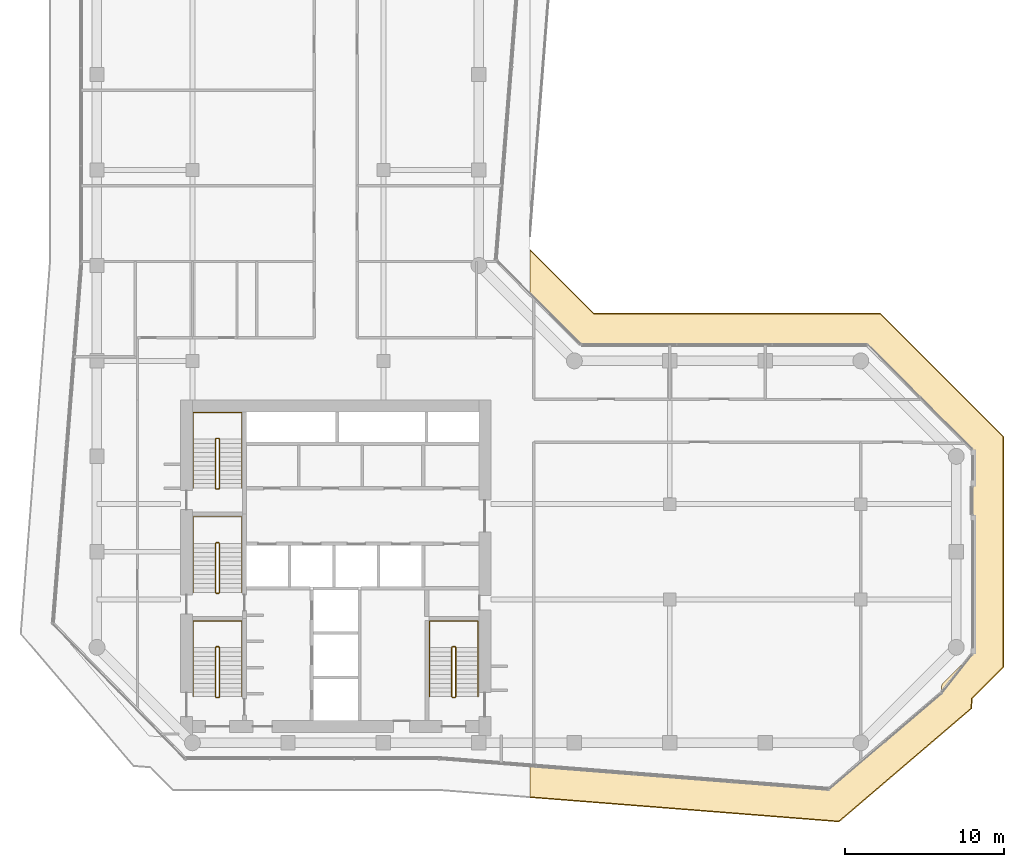
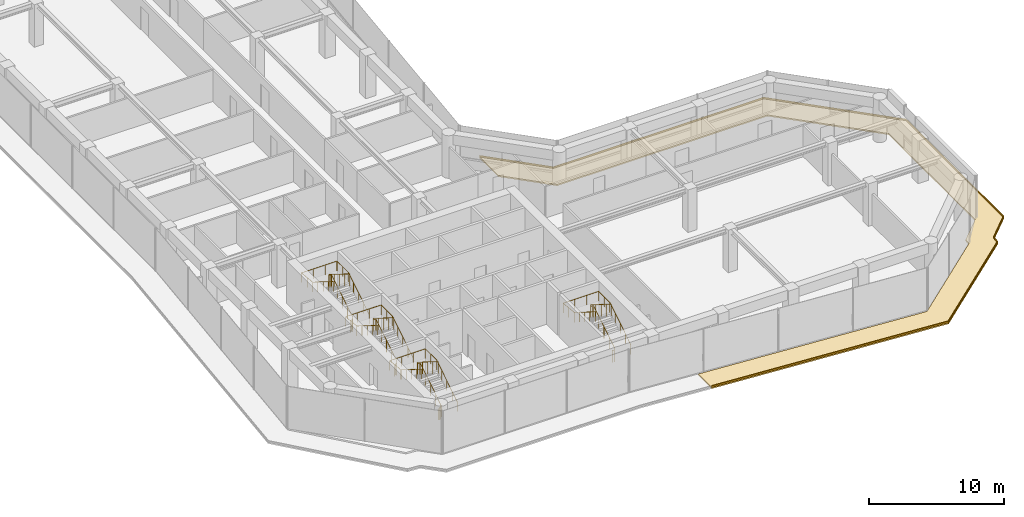
# One storey, part 23 of 24: 8 railings, 2 coverings.
"""IFC4 building model written with IfcOpenShell, lengths in metres."""

from ifc_helpers import new_model, si_unit, direction, frame, origin, origin_2d, place, context, subcontext, project, spatial, polyline, circle, outline, extrude, material, layer, layer_set, type_object, element, save


model = new_model("IFC4")

# Units and contexts
model_context = context("Model", 3, precision=1e-05, world=origin(), true_north=direction((0.0, 1.0)))
body_context = subcontext(model_context, "Body", "Model", "MODEL_VIEW")
ifc_project = project(units=[si_unit("LENGTHUNIT", "METRE"), si_unit("AREAUNIT", "SQUARE_METRE"), si_unit("VOLUMEUNIT", "CUBIC_METRE"), si_unit("PLANEANGLEUNIT", "RADIAN"), si_unit("MASSUNIT", "GRAM", prefix="KILO")], contexts=[model_context])

# Site, building, storey
site_placement = place(None, origin())
site = spatial("IfcSite", under=ifc_project, at=site_placement, CompositionType="ELEMENT")
building_placement = place(site_placement, origin())
building = spatial("IfcBuilding", under=site, at=building_placement, Name="Welwitschia Terrace Campus", CompositionType="ELEMENT")
storey_placement = place(building_placement, frame((0.0, 0.0, 129.800048828125)))
storey = spatial("IfcBuildingStorey", under=building, at=storey_placement, Name="L29", CompositionType="ELEMENT", Elevation=129.800048828125)

# Railings
ifc_material_1 = material(Name="Steel S355", Category="steel")
railing_type_1 = type_object("IfcRailingType", Name="Stair guard 1100", PredefinedType="GUARDRAIL", material=ifc_material_1)
railing_1_placement = place(storey_placement, frame((7.5, 6.85009765625, 0.0)))
element("IfcRailing", 1, at=railing_1_placement, inside=storey, type_object=railing_type_1, Name="L29 S1 stair guard", PredefinedType="GUARDRAIL", context=body_context, shape_type="SweptSolid", body=[
    extrude(circle(Radius=0.02392578125, at=origin_2d()), frame((0.0, 0.0, 1.076171875), z_axis=(1.0, 0.0, 0.0), x_axis=(0.0, 1.0, 0.0)), (0.0, 0.0, 1.0), 0.14990234375),
    extrude(circle(Radius=0.02392578125, at=origin_2d()), frame((0.14990234375, 0.0, 1.076171875), z_axis=(0.265155923931, 0.263862480399, 0.927399011991), x_axis=(-0.705375805398, 0.708833529934, 0.0)), (0.0, 0.0, 1.0), 0.188720703125),
    extrude(circle(Radius=0.02392578125, at=origin_2d()), frame((0.199951171875, 0.0498046875, 1.2509765625), z_axis=(0.0, 0.848028513186, 0.529950602248), x_axis=(-1.0, 0.0, 0.0)), (0.0, 0.0, 1.0), 3.632080078125),
    extrude(circle(Radius=0.02392578125, at=origin_2d()), frame((0.199951171875, 3.1298828125, 3.17578125), z_axis=(-0.707106781187, 0.707106781187, 0.0), x_axis=(-0.707106781187, -0.707106781187, 0.0)), (0.0, 0.0, 1.0), 0.07080078125),
    extrude(circle(Radius=0.02392578125, at=origin_2d()), frame((0.14990234375, 3.179931640625, 3.17578125), z_axis=(-1.0, 0.0, 0.0), x_axis=(0.0, -1.0, 0.0)), (0.0, 0.0, 1.0), 0.14990234375),
    extrude(circle(Radius=0.02392578125, at=origin_2d()), frame((0.0, 3.179931640625, 3.17578125), z_axis=(-0.265065253269, -0.265065253269, 0.927081885822), x_axis=(0.707106781187, -0.707106781187, 0.0)), (0.0, 0.0, 1.0), 0.188720703125),
    extrude(circle(Radius=0.02392578125, at=origin_2d()), frame((-0.050048828125, 3.1298828125, 3.35107421875), z_axis=(0.0, -0.847998304005, 0.529998940003), x_axis=(1.0, 0.0, 0.0)), (0.0, 0.0, 1.0), 3.632080078125),
    extrude(circle(Radius=0.02099609375, at=origin_2d()), origin(), (0.0, 0.0, 1.0), 1.052001953125),
    extrude(circle(Radius=0.02099609375, at=origin_2d()), frame((0.14990234375, 0.0, 0.0)), (0.0, 0.0, 1.0), 1.052001953125),
    extrude(circle(Radius=0.02099609375, at=origin_2d()), frame((0.199951171875, 0.0498046875, 0.175048828125)), (0.0, 0.0, 1.0), 1.052001953125),
    extrude(circle(Radius=0.02099609375, at=origin_2d()), frame((0.199951171875, 0.81982421875, 0.65625)), (0.0, 0.0, 1.0), 1.052001953125),
    extrude(circle(Radius=0.02099609375, at=origin_2d()), frame((0.199951171875, 1.58984375, 1.137451171875)), (0.0, 0.0, 1.0), 1.052001953125),
    extrude(circle(Radius=0.02099609375, at=origin_2d()), frame((0.199951171875, 2.35986328125, 1.61865234375)), (0.0, 0.0, 1.0), 1.052001953125),
    extrude(circle(Radius=0.02099609375, at=origin_2d()), frame((0.199951171875, 3.1298828125, 2.099853515625)), (0.0, 0.0, 1.0), 1.052001953125),
    extrude(circle(Radius=0.02099609375, at=origin_2d()), frame((0.14990234375, 3.179931640625, 2.099853515625)), (0.0, 0.0, 1.0), 1.052001953125),
    extrude(circle(Radius=0.02099609375, at=origin_2d()), frame((0.0, 3.179931640625, 2.099853515625)), (0.0, 0.0, 1.0), 1.052001953125),
    extrude(circle(Radius=0.02099609375, at=origin_2d()), frame((-0.050048828125, 3.1298828125, 2.27490234375)), (0.0, 0.0, 1.0), 1.052001953125),
    extrude(circle(Radius=0.02099609375, at=origin_2d()), frame((-0.050048828125, 2.35986328125, 2.756103515625)), (0.0, 0.0, 1.0), 1.052001953125),
    extrude(circle(Radius=0.02099609375, at=origin_2d()), frame((-0.050048828125, 1.58984375, 3.2373046875)), (0.0, 0.0, 1.0), 1.052001953125),
    extrude(circle(Radius=0.02099609375, at=origin_2d()), frame((-0.050048828125, 0.81982421875, 3.71875)), (0.0, 0.0, 1.0), 1.052001953125),
    extrude(circle(Radius=0.02099609375, at=origin_2d()), frame((-0.050048828125, 0.0498046875, 4.199951171875)), (0.0, 0.0, 1.0), 1.052001953125),
])
railing_2_placement = place(storey_placement, frame((7.5, 13.39990234375, 0.0)))
element("IfcRailing", 2, at=railing_2_placement, inside=storey, type_object=railing_type_1, Name="L29 S3 stair guard", PredefinedType="GUARDRAIL", context=body_context, shape_type="SweptSolid", body=[
    extrude(circle(Radius=0.02392578125, at=origin_2d()), frame((0.0, 0.0, 1.076171875), z_axis=(1.0, 0.0, 0.0), x_axis=(0.0, 1.0, 0.0)), (0.0, 0.0, 1.0), 0.14990234375),
    extrude(circle(Radius=0.02392578125, at=origin_2d()), frame((0.14990234375, 0.0, 1.076171875), z_axis=(0.265065253269, 0.265065253269, 0.927081885822), x_axis=(-0.707106781187, 0.707106781187, 0.0)), (0.0, 0.0, 1.0), 0.188720703125),
    extrude(circle(Radius=0.02392578125, at=origin_2d()), frame((0.199951171875, 0.050048828125, 1.2509765625), z_axis=(0.0, 0.848028513186, 0.529950602248), x_axis=(-1.0, 0.0, 0.0)), (0.0, 0.0, 1.0), 3.632080078125),
    extrude(circle(Radius=0.02392578125, at=origin_2d()), frame((0.199951171875, 3.130126953125, 3.17578125), z_axis=(-0.707106781187, 0.707106781187, 0.0), x_axis=(-0.707106781187, -0.707106781187, 0.0)), (0.0, 0.0, 1.0), 0.07080078125),
    extrude(circle(Radius=0.02392578125, at=origin_2d()), frame((0.14990234375, 3.18017578125, 3.17578125), z_axis=(-1.0, 0.0, 0.0), x_axis=(0.0, -1.0, 0.0)), (0.0, 0.0, 1.0), 0.14990234375),
    extrude(circle(Radius=0.02392578125, at=origin_2d()), frame((0.0, 3.18017578125, 3.17578125), z_axis=(-0.265065253269, -0.265065253269, 0.927081885822), x_axis=(0.707106781187, -0.707106781187, 0.0)), (0.0, 0.0, 1.0), 0.188720703125),
    extrude(circle(Radius=0.02392578125, at=origin_2d()), frame((-0.050048828125, 3.130126953125, 3.35107421875), z_axis=(0.0, -0.847998304005, 0.529998940003), x_axis=(1.0, 0.0, 0.0)), (0.0, 0.0, 1.0), 3.632080078125),
    extrude(circle(Radius=0.02099609375, at=origin_2d()), origin(), (0.0, 0.0, 1.0), 1.052001953125),
    extrude(circle(Radius=0.02099609375, at=origin_2d()), frame((0.14990234375, 0.0, 0.0)), (0.0, 0.0, 1.0), 1.052001953125),
    extrude(circle(Radius=0.02099609375, at=origin_2d()), frame((0.199951171875, 0.050048828125, 0.175048828125)), (0.0, 0.0, 1.0), 1.052001953125),
    extrude(circle(Radius=0.02099609375, at=origin_2d()), frame((0.199951171875, 0.820068359375, 0.65625)), (0.0, 0.0, 1.0), 1.052001953125),
    extrude(circle(Radius=0.02099609375, at=origin_2d()), frame((0.199951171875, 1.590087890625, 1.137451171875)), (0.0, 0.0, 1.0), 1.052001953125),
    extrude(circle(Radius=0.02099609375, at=origin_2d()), frame((0.199951171875, 2.360107421875, 1.61865234375)), (0.0, 0.0, 1.0), 1.052001953125),
    extrude(circle(Radius=0.02099609375, at=origin_2d()), frame((0.199951171875, 3.130126953125, 2.099853515625)), (0.0, 0.0, 1.0), 1.052001953125),
    extrude(circle(Radius=0.02099609375, at=origin_2d()), frame((0.14990234375, 3.18017578125, 2.099853515625)), (0.0, 0.0, 1.0), 1.052001953125),
    extrude(circle(Radius=0.02099609375, at=origin_2d()), frame((0.0, 3.18017578125, 2.099853515625)), (0.0, 0.0, 1.0), 1.052001953125),
    extrude(circle(Radius=0.02099609375, at=origin_2d()), frame((-0.050048828125, 3.130126953125, 2.27490234375)), (0.0, 0.0, 1.0), 1.052001953125),
    extrude(circle(Radius=0.02099609375, at=origin_2d()), frame((-0.050048828125, 2.360107421875, 2.756103515625)), (0.0, 0.0, 1.0), 1.052001953125),
    extrude(circle(Radius=0.02099609375, at=origin_2d()), frame((-0.050048828125, 1.590087890625, 3.2373046875)), (0.0, 0.0, 1.0), 1.052001953125),
    extrude(circle(Radius=0.02099609375, at=origin_2d()), frame((-0.050048828125, 0.820068359375, 3.71875)), (0.0, 0.0, 1.0), 1.052001953125),
    extrude(circle(Radius=0.02099609375, at=origin_2d()), frame((-0.050048828125, 0.050048828125, 4.199951171875)), (0.0, 0.0, 1.0), 1.052001953125),
])
railing_3_placement = place(storey_placement, frame((7.5, 19.949951171875, 0.0)))
element("IfcRailing", 3, at=railing_3_placement, inside=storey, type_object=railing_type_1, Name="L29 S4 stair guard", PredefinedType="GUARDRAIL", context=body_context, shape_type="SweptSolid", body=[
    extrude(circle(Radius=0.02392578125, at=origin_2d()), frame((0.0, 0.0, 1.076171875), z_axis=(1.0, 0.0, 0.0), x_axis=(0.0, 1.0, 0.0)), (0.0, 0.0, 1.0), 0.14990234375),
    extrude(circle(Radius=0.02392578125, at=origin_2d()), frame((0.14990234375, 0.0, 1.076171875), z_axis=(0.265065253269, 0.265065253269, 0.927081885822), x_axis=(-0.707106781187, 0.707106781187, 0.0)), (0.0, 0.0, 1.0), 0.188720703125),
    extrude(circle(Radius=0.02392578125, at=origin_2d()), frame((0.199951171875, 0.050048828125, 1.2509765625), z_axis=(0.0, 0.848028513186, 0.529950602248), x_axis=(-1.0, 0.0, 0.0)), (0.0, 0.0, 1.0), 3.632080078125),
    extrude(circle(Radius=0.02392578125, at=origin_2d()), frame((0.199951171875, 3.130126953125, 3.17578125), z_axis=(-0.708833529934, 0.705375805398, 0.0), x_axis=(-0.705375805398, -0.708833529934, 0.0)), (0.0, 0.0, 1.0), 0.070556640625),
    extrude(circle(Radius=0.02392578125, at=origin_2d()), frame((0.14990234375, 3.179931640625, 3.17578125), z_axis=(-1.0, 0.0, 0.0), x_axis=(0.0, -1.0, 0.0)), (0.0, 0.0, 1.0), 0.14990234375),
    extrude(circle(Radius=0.02392578125, at=origin_2d()), frame((0.0, 3.179931640625, 3.17578125), z_axis=(-0.265155923931, -0.263862480399, 0.927399011991), x_axis=(0.705375805398, -0.708833529934, 0.0)), (0.0, 0.0, 1.0), 0.188720703125),
    extrude(circle(Radius=0.02392578125, at=origin_2d()), frame((-0.050048828125, 3.130126953125, 3.35107421875), z_axis=(0.0, -0.847998304005, 0.529998940003), x_axis=(1.0, 0.0, 0.0)), (0.0, 0.0, 1.0), 3.632080078125),
    extrude(circle(Radius=0.02099609375, at=origin_2d()), origin(), (0.0, 0.0, 1.0), 1.052001953125),
    extrude(circle(Radius=0.02099609375, at=origin_2d()), frame((0.14990234375, 0.0, 0.0)), (0.0, 0.0, 1.0), 1.052001953125),
    extrude(circle(Radius=0.02099609375, at=origin_2d()), frame((0.199951171875, 0.050048828125, 0.175048828125)), (0.0, 0.0, 1.0), 1.052001953125),
    extrude(circle(Radius=0.02099609375, at=origin_2d()), frame((0.199951171875, 0.820068359375, 0.65625)), (0.0, 0.0, 1.0), 1.052001953125),
    extrude(circle(Radius=0.02099609375, at=origin_2d()), frame((0.199951171875, 1.590087890625, 1.137451171875)), (0.0, 0.0, 1.0), 1.052001953125),
    extrude(circle(Radius=0.02099609375, at=origin_2d()), frame((0.199951171875, 2.360107421875, 1.61865234375)), (0.0, 0.0, 1.0), 1.052001953125),
    extrude(circle(Radius=0.02099609375, at=origin_2d()), frame((0.199951171875, 3.130126953125, 2.099853515625)), (0.0, 0.0, 1.0), 1.052001953125),
    extrude(circle(Radius=0.02099609375, at=origin_2d()), frame((0.14990234375, 3.179931640625, 2.099853515625)), (0.0, 0.0, 1.0), 1.052001953125),
    extrude(circle(Radius=0.02099609375, at=origin_2d()), frame((0.0, 3.179931640625, 2.099853515625)), (0.0, 0.0, 1.0), 1.052001953125),
    extrude(circle(Radius=0.02099609375, at=origin_2d()), frame((-0.050048828125, 3.130126953125, 2.27490234375)), (0.0, 0.0, 1.0), 1.052001953125),
    extrude(circle(Radius=0.02099609375, at=origin_2d()), frame((-0.050048828125, 2.360107421875, 2.756103515625)), (0.0, 0.0, 1.0), 1.052001953125),
    extrude(circle(Radius=0.02099609375, at=origin_2d()), frame((-0.050048828125, 1.590087890625, 3.2373046875)), (0.0, 0.0, 1.0), 1.052001953125),
    extrude(circle(Radius=0.02099609375, at=origin_2d()), frame((-0.050048828125, 0.820068359375, 3.71875)), (0.0, 0.0, 1.0), 1.052001953125),
    extrude(circle(Radius=0.02099609375, at=origin_2d()), frame((-0.050048828125, 0.050048828125, 4.199951171875)), (0.0, 0.0, 1.0), 1.052001953125),
])
railing_4_placement = place(storey_placement, frame((22.35009765625, 6.85009765625, 0.0)))
element("IfcRailing", 4, at=railing_4_placement, inside=storey, type_object=railing_type_1, Name="L29 S2 stair guard", PredefinedType="GUARDRAIL", context=body_context, shape_type="SweptSolid", body=[
    extrude(circle(Radius=0.02392578125, at=origin_2d()), frame((0.0, 0.0, 1.076171875), z_axis=(1.0, 0.0, 0.0), x_axis=(0.0, 1.0, 0.0)), (0.0, 0.0, 1.0), 0.14990234375),
    extrude(circle(Radius=0.02392578125, at=origin_2d()), frame((0.14990234375, 0.0, 1.076171875), z_axis=(0.265155923931, 0.263862480399, 0.927399011991), x_axis=(-0.705375805398, 0.708833529934, 0.0)), (0.0, 0.0, 1.0), 0.188720703125),
    extrude(circle(Radius=0.02392578125, at=origin_2d()), frame((0.199951171875, 0.0498046875, 1.2509765625), z_axis=(0.0, 0.848028513186, 0.529950602248), x_axis=(-1.0, 0.0, 0.0)), (0.0, 0.0, 1.0), 3.632080078125),
    extrude(circle(Radius=0.02392578125, at=origin_2d()), frame((0.199951171875, 3.1298828125, 3.17578125), z_axis=(-0.707106781187, 0.707106781187, 0.0), x_axis=(-0.707106781187, -0.707106781187, 0.0)), (0.0, 0.0, 1.0), 0.07080078125),
    extrude(circle(Radius=0.02392578125, at=origin_2d()), frame((0.14990234375, 3.179931640625, 3.17578125), z_axis=(-1.0, 0.0, 0.0), x_axis=(0.0, -1.0, 0.0)), (0.0, 0.0, 1.0), 0.14990234375),
    extrude(circle(Radius=0.02392578125, at=origin_2d()), frame((0.0, 3.179931640625, 3.17578125), z_axis=(-0.265065253269, -0.265065253269, 0.927081885822), x_axis=(0.707106781187, -0.707106781187, 0.0)), (0.0, 0.0, 1.0), 0.188720703125),
    extrude(circle(Radius=0.02392578125, at=origin_2d()), frame((-0.050048828125, 3.1298828125, 3.35107421875), z_axis=(0.0, -0.847998304005, 0.529998940003), x_axis=(1.0, 0.0, 0.0)), (0.0, 0.0, 1.0), 3.632080078125),
    extrude(circle(Radius=0.02099609375, at=origin_2d()), origin(), (0.0, 0.0, 1.0), 1.052001953125),
    extrude(circle(Radius=0.02099609375, at=origin_2d()), frame((0.14990234375, 0.0, 0.0)), (0.0, 0.0, 1.0), 1.052001953125),
    extrude(circle(Radius=0.02099609375, at=origin_2d()), frame((0.199951171875, 0.0498046875, 0.175048828125)), (0.0, 0.0, 1.0), 1.052001953125),
    extrude(circle(Radius=0.02099609375, at=origin_2d()), frame((0.199951171875, 0.81982421875, 0.65625)), (0.0, 0.0, 1.0), 1.052001953125),
    extrude(circle(Radius=0.02099609375, at=origin_2d()), frame((0.199951171875, 1.58984375, 1.137451171875)), (0.0, 0.0, 1.0), 1.052001953125),
    extrude(circle(Radius=0.02099609375, at=origin_2d()), frame((0.199951171875, 2.35986328125, 1.61865234375)), (0.0, 0.0, 1.0), 1.052001953125),
    extrude(circle(Radius=0.02099609375, at=origin_2d()), frame((0.199951171875, 3.1298828125, 2.099853515625)), (0.0, 0.0, 1.0), 1.052001953125),
    extrude(circle(Radius=0.02099609375, at=origin_2d()), frame((0.14990234375, 3.179931640625, 2.099853515625)), (0.0, 0.0, 1.0), 1.052001953125),
    extrude(circle(Radius=0.02099609375, at=origin_2d()), frame((0.0, 3.179931640625, 2.099853515625)), (0.0, 0.0, 1.0), 1.052001953125),
    extrude(circle(Radius=0.02099609375, at=origin_2d()), frame((-0.050048828125, 3.1298828125, 2.27490234375)), (0.0, 0.0, 1.0), 1.052001953125),
    extrude(circle(Radius=0.02099609375, at=origin_2d()), frame((-0.050048828125, 2.35986328125, 2.756103515625)), (0.0, 0.0, 1.0), 1.052001953125),
    extrude(circle(Radius=0.02099609375, at=origin_2d()), frame((-0.050048828125, 1.58984375, 3.2373046875)), (0.0, 0.0, 1.0), 1.052001953125),
    extrude(circle(Radius=0.02099609375, at=origin_2d()), frame((-0.050048828125, 0.81982421875, 3.71875)), (0.0, 0.0, 1.0), 1.052001953125),
    extrude(circle(Radius=0.02099609375, at=origin_2d()), frame((-0.050048828125, 0.0498046875, 4.199951171875)), (0.0, 0.0, 1.0), 1.052001953125),
])
ifc_material_2 = material(Name="Steel S355", Category="steel")
railing_type_2 = type_object("IfcRailingType", Name="Stair handrail 900", PredefinedType="HANDRAIL", material=ifc_material_2)
railing_5_placement = place(storey_placement, frame((9.10009765625, 6.89990234375, 0.175048828125)))
element("IfcRailing", 5, at=railing_5_placement, inside=storey, type_object=railing_type_2, Name="L29 S1 stair handrail", PredefinedType="HANDRAIL", context=body_context, shape_type="SweptSolid", body=[
    extrude(circle(Radius=0.02392578125, at=origin_2d()), frame((0.0, 0.0, 0.8759765625), z_axis=(0.0, 0.848028513186, 0.529950602248), x_axis=(-1.0, 0.0, 0.0)), (0.0, 0.0, 1.0), 3.632080078125),
    extrude(circle(Radius=0.02392578125, at=origin_2d()), frame((0.0, 3.080078125, 2.80078125), z_axis=(0.0, 1.0, 0.0), x_axis=(-1.0, 0.0, 0.0)), (0.0, 0.0, 1.0), 1.669921875),
    extrude(circle(Radius=0.02392578125, at=origin_2d()), frame((0.0, 4.75, 2.80078125), z_axis=(-1.0, 0.0, 0.0), x_axis=(0.0, -1.0, 0.0)), (0.0, 0.0, 1.0), 3.050048828125),
    extrude(circle(Radius=0.02392578125, at=origin_2d()), frame((-3.050048828125, 4.75, 2.80078125), z_axis=(0.0, -0.99455077262, 0.104253348533), x_axis=(1.0, 0.0, 0.0)), (0.0, 0.0, 1.0), 1.678955078125),
    extrude(circle(Radius=0.02392578125, at=origin_2d()), frame((-3.050048828125, 3.080078125, 2.9755859375), z_axis=(0.0, -0.847998304005, 0.529998940003), x_axis=(1.0, 0.0, 0.0)), (0.0, 0.0, 1.0), 3.632080078125),
    extrude(circle(Radius=0.02099609375, at=origin_2d()), origin(), (0.0, 0.0, 1.0), 0.851806640625),
    extrude(circle(Radius=0.02099609375, at=origin_2d()), frame((0.0, 0.77001953125, 0.481201171875)), (0.0, 0.0, 1.0), 0.851806640625),
    extrude(circle(Radius=0.02099609375, at=origin_2d()), frame((0.0, 1.5400390625, 0.96240234375)), (0.0, 0.0, 1.0), 0.851806640625),
    extrude(circle(Radius=0.02099609375, at=origin_2d()), frame((0.0, 2.31005859375, 1.443603515625)), (0.0, 0.0, 1.0), 0.851806640625),
    extrude(circle(Radius=0.02099609375, at=origin_2d()), frame((0.0, 3.080078125, 1.9248046875)), (0.0, 0.0, 1.0), 0.851806640625),
    extrude(circle(Radius=0.02099609375, at=origin_2d()), frame((0.0, 3.9150390625, 1.9248046875)), (0.0, 0.0, 1.0), 0.851806640625),
    extrude(circle(Radius=0.02099609375, at=origin_2d()), frame((0.0, 4.75, 1.9248046875)), (0.0, 0.0, 1.0), 0.851806640625),
    extrude(circle(Radius=0.02099609375, at=origin_2d()), frame((-1.0166015625, 4.75, 1.9248046875)), (0.0, 0.0, 1.0), 0.851806640625),
    extrude(circle(Radius=0.02099609375, at=origin_2d()), frame((-2.033447265625, 4.75, 1.9248046875)), (0.0, 0.0, 1.0), 0.851806640625),
    extrude(circle(Radius=0.02099609375, at=origin_2d()), frame((-3.050048828125, 4.75, 1.9248046875)), (0.0, 0.0, 1.0), 0.851806640625),
    extrude(circle(Radius=0.02099609375, at=origin_2d()), frame((-3.050048828125, 3.9150390625, 2.01220703125)), (0.0, 0.0, 1.0), 0.851806640625),
    extrude(circle(Radius=0.02099609375, at=origin_2d()), frame((-3.050048828125, 3.080078125, 2.099853515625)), (0.0, 0.0, 1.0), 0.851806640625),
    extrude(circle(Radius=0.02099609375, at=origin_2d()), frame((-3.050048828125, 2.31005859375, 2.5810546875)), (0.0, 0.0, 1.0), 0.851806640625),
    extrude(circle(Radius=0.02099609375, at=origin_2d()), frame((-3.050048828125, 1.5400390625, 3.0625)), (0.0, 0.0, 1.0), 0.851806640625),
    extrude(circle(Radius=0.02099609375, at=origin_2d()), frame((-3.050048828125, 0.77001953125, 3.543701171875)), (0.0, 0.0, 1.0), 0.851806640625),
    extrude(circle(Radius=0.02099609375, at=origin_2d()), frame((-3.050048828125, 0.0, 4.02490234375)), (0.0, 0.0, 1.0), 0.851806640625),
])
railing_6_placement = place(storey_placement, frame((9.10009765625, 13.449951171875, 0.175048828125)))
element("IfcRailing", 6, at=railing_6_placement, inside=storey, type_object=railing_type_2, Name="L29 S3 stair handrail", PredefinedType="HANDRAIL", context=body_context, shape_type="SweptSolid", body=[
    extrude(circle(Radius=0.02392578125, at=origin_2d()), frame((0.0, 0.0, 0.8759765625), z_axis=(0.0, 0.848028513186, 0.529950602248), x_axis=(-1.0, 0.0, 0.0)), (0.0, 0.0, 1.0), 3.632080078125),
    extrude(circle(Radius=0.02392578125, at=origin_2d()), frame((0.0, 3.080078125, 2.80078125), z_axis=(0.0, 1.0, 0.0), x_axis=(-1.0, 0.0, 0.0)), (0.0, 0.0, 1.0), 1.669921875),
    extrude(circle(Radius=0.02392578125, at=origin_2d()), frame((0.0, 4.75, 2.80078125), z_axis=(-1.0, 0.0, 0.0), x_axis=(0.0, -1.0, 0.0)), (0.0, 0.0, 1.0), 3.050048828125),
    extrude(circle(Radius=0.02392578125, at=origin_2d()), frame((-3.050048828125, 4.75, 2.80078125), z_axis=(0.0, -0.99455077262, 0.104253348533), x_axis=(1.0, 0.0, 0.0)), (0.0, 0.0, 1.0), 1.678955078125),
    extrude(circle(Radius=0.02392578125, at=origin_2d()), frame((-3.050048828125, 3.080078125, 2.9755859375), z_axis=(0.0, -0.847998304005, 0.529998940003), x_axis=(1.0, 0.0, 0.0)), (0.0, 0.0, 1.0), 3.632080078125),
    extrude(circle(Radius=0.02099609375, at=origin_2d()), origin(), (0.0, 0.0, 1.0), 0.851806640625),
    extrude(circle(Radius=0.02099609375, at=origin_2d()), frame((0.0, 0.77001953125, 0.481201171875)), (0.0, 0.0, 1.0), 0.851806640625),
    extrude(circle(Radius=0.02099609375, at=origin_2d()), frame((0.0, 1.5400390625, 0.96240234375)), (0.0, 0.0, 1.0), 0.851806640625),
    extrude(circle(Radius=0.02099609375, at=origin_2d()), frame((0.0, 2.31005859375, 1.443603515625)), (0.0, 0.0, 1.0), 0.851806640625),
    extrude(circle(Radius=0.02099609375, at=origin_2d()), frame((0.0, 3.080078125, 1.9248046875)), (0.0, 0.0, 1.0), 0.851806640625),
    extrude(circle(Radius=0.02099609375, at=origin_2d()), frame((0.0, 3.9150390625, 1.9248046875)), (0.0, 0.0, 1.0), 0.851806640625),
    extrude(circle(Radius=0.02099609375, at=origin_2d()), frame((0.0, 4.75, 1.9248046875)), (0.0, 0.0, 1.0), 0.851806640625),
    extrude(circle(Radius=0.02099609375, at=origin_2d()), frame((-1.0166015625, 4.75, 1.9248046875)), (0.0, 0.0, 1.0), 0.851806640625),
    extrude(circle(Radius=0.02099609375, at=origin_2d()), frame((-2.033447265625, 4.75, 1.9248046875)), (0.0, 0.0, 1.0), 0.851806640625),
    extrude(circle(Radius=0.02099609375, at=origin_2d()), frame((-3.050048828125, 4.75, 1.9248046875)), (0.0, 0.0, 1.0), 0.851806640625),
    extrude(circle(Radius=0.02099609375, at=origin_2d()), frame((-3.050048828125, 3.9150390625, 2.01220703125)), (0.0, 0.0, 1.0), 0.851806640625),
    extrude(circle(Radius=0.02099609375, at=origin_2d()), frame((-3.050048828125, 3.080078125, 2.099853515625)), (0.0, 0.0, 1.0), 0.851806640625),
    extrude(circle(Radius=0.02099609375, at=origin_2d()), frame((-3.050048828125, 2.31005859375, 2.5810546875)), (0.0, 0.0, 1.0), 0.851806640625),
    extrude(circle(Radius=0.02099609375, at=origin_2d()), frame((-3.050048828125, 1.5400390625, 3.0625)), (0.0, 0.0, 1.0), 0.851806640625),
    extrude(circle(Radius=0.02099609375, at=origin_2d()), frame((-3.050048828125, 0.77001953125, 3.543701171875)), (0.0, 0.0, 1.0), 0.851806640625),
    extrude(circle(Radius=0.02099609375, at=origin_2d()), frame((-3.050048828125, 0.0, 4.02490234375)), (0.0, 0.0, 1.0), 0.851806640625),
])
railing_7_placement = place(storey_placement, frame((9.10009765625, 20.0, 0.175048828125)))
element("IfcRailing", 7, at=railing_7_placement, inside=storey, type_object=railing_type_2, Name="L29 S4 stair handrail", PredefinedType="HANDRAIL", context=body_context, shape_type="SweptSolid", body=[
    extrude(circle(Radius=0.02392578125, at=origin_2d()), frame((0.0, 0.0, 0.8759765625), z_axis=(0.0, 0.848028513186, 0.529950602248), x_axis=(-1.0, 0.0, 0.0)), (0.0, 0.0, 1.0), 3.632080078125),
    extrude(circle(Radius=0.02392578125, at=origin_2d()), frame((0.0, 3.080078125, 2.80078125), z_axis=(0.0, 1.0, 0.0), x_axis=(-1.0, 0.0, 0.0)), (0.0, 0.0, 1.0), 1.669921875),
    extrude(circle(Radius=0.02392578125, at=origin_2d()), frame((0.0, 4.75, 2.80078125), z_axis=(-1.0, 0.0, 0.0), x_axis=(0.0, -1.0, 0.0)), (0.0, 0.0, 1.0), 3.050048828125),
    extrude(circle(Radius=0.02392578125, at=origin_2d()), frame((-3.050048828125, 4.75, 2.80078125), z_axis=(0.0, -0.99455077262, 0.104253348533), x_axis=(1.0, 0.0, 0.0)), (0.0, 0.0, 1.0), 1.678955078125),
    extrude(circle(Radius=0.02392578125, at=origin_2d()), frame((-3.050048828125, 3.080078125, 2.9755859375), z_axis=(0.0, -0.847998304005, 0.529998940003), x_axis=(1.0, 0.0, 0.0)), (0.0, 0.0, 1.0), 3.632080078125),
    extrude(circle(Radius=0.02099609375, at=origin_2d()), origin(), (0.0, 0.0, 1.0), 0.851806640625),
    extrude(circle(Radius=0.02099609375, at=origin_2d()), frame((0.0, 0.77001953125, 0.481201171875)), (0.0, 0.0, 1.0), 0.851806640625),
    extrude(circle(Radius=0.02099609375, at=origin_2d()), frame((0.0, 1.5400390625, 0.96240234375)), (0.0, 0.0, 1.0), 0.851806640625),
    extrude(circle(Radius=0.02099609375, at=origin_2d()), frame((0.0, 2.31005859375, 1.443603515625)), (0.0, 0.0, 1.0), 0.851806640625),
    extrude(circle(Radius=0.02099609375, at=origin_2d()), frame((0.0, 3.080078125, 1.9248046875)), (0.0, 0.0, 1.0), 0.851806640625),
    extrude(circle(Radius=0.02099609375, at=origin_2d()), frame((0.0, 3.9150390625, 1.9248046875)), (0.0, 0.0, 1.0), 0.851806640625),
    extrude(circle(Radius=0.02099609375, at=origin_2d()), frame((0.0, 4.75, 1.9248046875)), (0.0, 0.0, 1.0), 0.851806640625),
    extrude(circle(Radius=0.02099609375, at=origin_2d()), frame((-1.0166015625, 4.75, 1.9248046875)), (0.0, 0.0, 1.0), 0.851806640625),
    extrude(circle(Radius=0.02099609375, at=origin_2d()), frame((-2.033447265625, 4.75, 1.9248046875)), (0.0, 0.0, 1.0), 0.851806640625),
    extrude(circle(Radius=0.02099609375, at=origin_2d()), frame((-3.050048828125, 4.75, 1.9248046875)), (0.0, 0.0, 1.0), 0.851806640625),
    extrude(circle(Radius=0.02099609375, at=origin_2d()), frame((-3.050048828125, 3.9150390625, 2.01220703125)), (0.0, 0.0, 1.0), 0.851806640625),
    extrude(circle(Radius=0.02099609375, at=origin_2d()), frame((-3.050048828125, 3.080078125, 2.099853515625)), (0.0, 0.0, 1.0), 0.851806640625),
    extrude(circle(Radius=0.02099609375, at=origin_2d()), frame((-3.050048828125, 2.31005859375, 2.5810546875)), (0.0, 0.0, 1.0), 0.851806640625),
    extrude(circle(Radius=0.02099609375, at=origin_2d()), frame((-3.050048828125, 1.5400390625, 3.0625)), (0.0, 0.0, 1.0), 0.851806640625),
    extrude(circle(Radius=0.02099609375, at=origin_2d()), frame((-3.050048828125, 0.77001953125, 3.543701171875)), (0.0, 0.0, 1.0), 0.851806640625),
    extrude(circle(Radius=0.02099609375, at=origin_2d()), frame((-3.050048828125, 0.0, 4.02490234375)), (0.0, 0.0, 1.0), 0.851806640625),
])
railing_8_placement = place(storey_placement, frame((23.949951171875, 6.89990234375, 0.175048828125)))
element("IfcRailing", 8, at=railing_8_placement, inside=storey, type_object=railing_type_2, Name="L29 S2 stair handrail", PredefinedType="HANDRAIL", context=body_context, shape_type="SweptSolid", body=[
    extrude(circle(Radius=0.02392578125, at=origin_2d()), frame((0.0, 0.0, 0.8759765625), z_axis=(0.0, 0.848028513186, 0.529950602248), x_axis=(-1.0, 0.0, 0.0)), (0.0, 0.0, 1.0), 3.632080078125),
    extrude(circle(Radius=0.02392578125, at=origin_2d()), frame((0.0, 3.080078125, 2.80078125), z_axis=(0.0, 1.0, 0.0), x_axis=(-1.0, 0.0, 0.0)), (0.0, 0.0, 1.0), 1.669921875),
    extrude(circle(Radius=0.02392578125, at=origin_2d()), frame((0.0, 4.75, 2.80078125), z_axis=(-1.0, 0.0, 0.0), x_axis=(0.0, -1.0, 0.0)), (0.0, 0.0, 1.0), 3.050048828125),
    extrude(circle(Radius=0.02392578125, at=origin_2d()), frame((-3.050048828125, 4.75, 2.80078125), z_axis=(0.0, -0.99455077262, 0.104253348533), x_axis=(1.0, 0.0, 0.0)), (0.0, 0.0, 1.0), 1.678955078125),
    extrude(circle(Radius=0.02392578125, at=origin_2d()), frame((-3.050048828125, 3.080078125, 2.9755859375), z_axis=(0.0, -0.847998304005, 0.529998940003), x_axis=(1.0, 0.0, 0.0)), (0.0, 0.0, 1.0), 3.632080078125),
    extrude(circle(Radius=0.02099609375, at=origin_2d()), origin(), (0.0, 0.0, 1.0), 0.851806640625),
    extrude(circle(Radius=0.02099609375, at=origin_2d()), frame((0.0, 0.77001953125, 0.481201171875)), (0.0, 0.0, 1.0), 0.851806640625),
    extrude(circle(Radius=0.02099609375, at=origin_2d()), frame((0.0, 1.5400390625, 0.96240234375)), (0.0, 0.0, 1.0), 0.851806640625),
    extrude(circle(Radius=0.02099609375, at=origin_2d()), frame((0.0, 2.31005859375, 1.443603515625)), (0.0, 0.0, 1.0), 0.851806640625),
    extrude(circle(Radius=0.02099609375, at=origin_2d()), frame((0.0, 3.080078125, 1.9248046875)), (0.0, 0.0, 1.0), 0.851806640625),
    extrude(circle(Radius=0.02099609375, at=origin_2d()), frame((0.0, 3.9150390625, 1.9248046875)), (0.0, 0.0, 1.0), 0.851806640625),
    extrude(circle(Radius=0.02099609375, at=origin_2d()), frame((0.0, 4.75, 1.9248046875)), (0.0, 0.0, 1.0), 0.851806640625),
    extrude(circle(Radius=0.02099609375, at=origin_2d()), frame((-1.0166015625, 4.75, 1.9248046875)), (0.0, 0.0, 1.0), 0.851806640625),
    extrude(circle(Radius=0.02099609375, at=origin_2d()), frame((-2.033447265625, 4.75, 1.9248046875)), (0.0, 0.0, 1.0), 0.851806640625),
    extrude(circle(Radius=0.02099609375, at=origin_2d()), frame((-3.050048828125, 4.75, 1.9248046875)), (0.0, 0.0, 1.0), 0.851806640625),
    extrude(circle(Radius=0.02099609375, at=origin_2d()), frame((-3.050048828125, 3.9150390625, 2.01220703125)), (0.0, 0.0, 1.0), 0.851806640625),
    extrude(circle(Radius=0.02099609375, at=origin_2d()), frame((-3.050048828125, 3.080078125, 2.099853515625)), (0.0, 0.0, 1.0), 0.851806640625),
    extrude(circle(Radius=0.02099609375, at=origin_2d()), frame((-3.050048828125, 2.31005859375, 2.5810546875)), (0.0, 0.0, 1.0), 0.851806640625),
    extrude(circle(Radius=0.02099609375, at=origin_2d()), frame((-3.050048828125, 1.5400390625, 3.0625)), (0.0, 0.0, 1.0), 0.851806640625),
    extrude(circle(Radius=0.02099609375, at=origin_2d()), frame((-3.050048828125, 0.77001953125, 3.543701171875)), (0.0, 0.0, 1.0), 0.851806640625),
    extrude(circle(Radius=0.02099609375, at=origin_2d()), frame((-3.050048828125, 0.0, 4.02490234375)), (0.0, 0.0, 1.0), 0.851806640625),
])

# Coverings
ifc_material_3 = material(Name="Bronze anodised aluminium", Category="aluminium")
ifc_layer_1 = layer(ifc_material_3, 0.1201171875)
ifc_layer_set_1 = layer_set([ifc_layer_1], Name="Bronze anodised aluminium")
covering_type_1 = type_object("IfcCoveringType", Name="Sunshade band 2000", PredefinedType="USERDEFINED", material=ifc_layer_set_1)
covering_1_placement = place(storey_placement, frame((0.0, 0.0, -0.25)))
element("IfcCovering", 9, at=covering_1_placement, inside=storey, type_object=covering_type_1, Name="SUNSHADE L29.SE1", ObjectType="SUNSHADE", PredefinedType="USERDEFINED", context=body_context, shape_type="SweptSolid", body=[
    extrude(outline(polyline([(31.24267578125, 31.0), (49.24267578125, 31.0), (57.0, 23.24267578125), (57.0, 8.75732421875), (55.02880859375, 6.7861328125), (54.97802734375, 6.139892578125), (46.635986328125, -0.985107421875), (27.2216796875, 0.54296875), (27.2216796875, 2.549072265625), (45.967041015625, 1.073974609375), (53.04931640625, 7.12255859375), (53.093017578125, 7.6787109375), (55.0, 9.585693359375), (55.0, 22.414306640625), (48.414306640625, 29.0), (30.414306640625, 29.0), (27.2216796875, 32.1923828125), (27.2216796875, 35.020751953125), (31.24267578125, 31.0)])), origin(), (0.0, 0.0, 1.0), 0.119873046875),
])
ifc_material_4 = material(Name="Bronze anodised aluminium", Category="aluminium")
ifc_layer_2 = layer(ifc_material_4, 0.06005859375)
ifc_layer_set_2 = layer_set([ifc_layer_2], Name="Bronze anodised aluminium")
covering_type_2 = type_object("IfcCoveringType", Name="Sunshade lip 60", PredefinedType="USERDEFINED", material=ifc_layer_set_2)
covering_2_placement = place(storey_placement, frame((0.0, 0.0, -0.130126953125)))
element("IfcCovering", 10, at=covering_2_placement, inside=storey, type_object=covering_type_2, Name="SUNSHADE LIP L29.SE1.0", ObjectType="SUNSHADE", PredefinedType="USERDEFINED", context=body_context, shape_type="SweptSolid", body=[
    extrude(outline(polyline([(49.24267578125, 31.0), (57.0, 23.24267578125), (57.0, 8.75732421875), (55.02880859375, 6.7861328125), (54.97802734375, 6.139892578125), (46.635986328125, -0.985107421875), (27.2216796875, 0.54296875), (27.2216796875, 0.60302734375), (46.615966796875, -0.923095703125), (54.920166015625, 6.169189453125), (54.970703125, 6.81298828125), (56.93994140625, 8.7822265625), (56.93994140625, 23.2177734375), (49.2177734375, 30.93994140625), (31.2177734375, 30.93994140625), (27.2216796875, 34.93603515625), (27.2216796875, 35.020751953125), (31.24267578125, 31.0), (49.24267578125, 31.0)])), origin(), (0.0, 0.0, 1.0), 0.130126953125),
])

save(model, "model.ifc")
